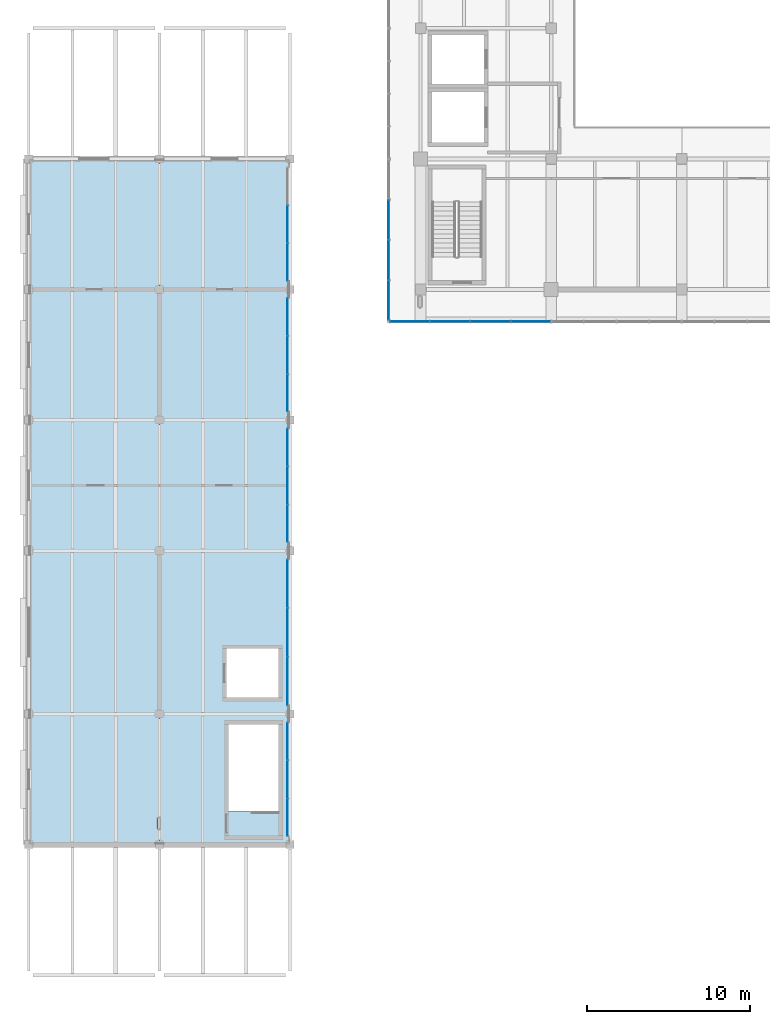
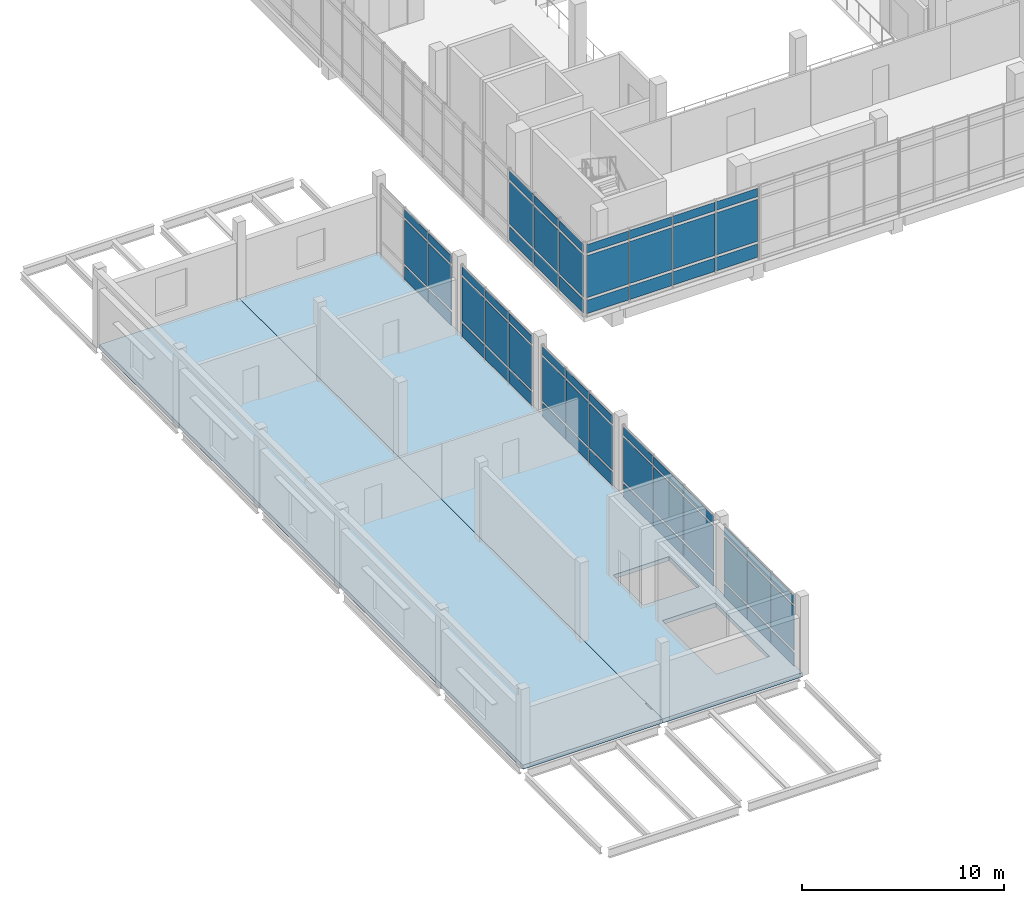
# One storey, part 15 of 28: 63 plates, 2 slabs, 7 elements without a shape of their own.
"""IFC4 building model written with IfcOpenShell, lengths in metres."""

from ifc_helpers import new_model, si_unit, direction, frame, origin, origin_2d, place, context, subcontext, project, spatial, polyline, rectangle, outline, extrude, material, layer, layer_set, type_object, element, aggregate, save


model = new_model("IFC4")

# Units and contexts
model_context = context("Model", 3, precision=1e-05, world=origin(), true_north=direction((0.0, 1.0)))
body_context = subcontext(model_context, "Body", "Model", "MODEL_VIEW")
ifc_project = project(units=[si_unit("LENGTHUNIT", "METRE"), si_unit("AREAUNIT", "SQUARE_METRE"), si_unit("VOLUMEUNIT", "CUBIC_METRE"), si_unit("PLANEANGLEUNIT", "RADIAN"), si_unit("MASSUNIT", "GRAM", prefix="KILO")], contexts=[model_context])

# Site, building, storey
site_placement = place(None, origin())
site = spatial("IfcSite", under=ifc_project, at=site_placement, CompositionType="ELEMENT")
building_placement = place(site_placement, origin())
building = spatial("IfcBuilding", under=site, at=building_placement, Name="Pecanmere Concourse Central Library", CompositionType="ELEMENT")
storey_placement = place(building_placement, frame((0.0, 0.0, 20.10009765625)))
storey = spatial("IfcBuildingStorey", under=building, at=storey_placement, Name="L05", CompositionType="ELEMENT", Elevation=20.10009765625)

# Curtain wall, plates
ifc_material_1 = material(Name="Anodized bronze aluminium alloy 6063-T6", Category="aluminium")
curtain_wall_type_1 = type_object("IfcCurtainWallType", Name="CW_PLUMB_BANDED", PredefinedType="USERDEFINED", material=ifc_material_1)
curtain_wall_1_placement = place(storey_placement, origin())
curtain_wall_1 = element("IfcCurtainWall", 1, at=curtain_wall_1_placement, inside=storey, type_object=curtain_wall_type_1, Name="Unitised Curtain Wall CW-02 L05-058", ObjectType="UNITISED CURTAIN WALL", PredefinedType="USERDEFINED")
ifc_material_2 = material(Name="White ceramic-fritted insulated spandrel glazing", Category="glass")
ifc_layer_1 = layer(ifc_material_2, 0.053955078125, Name="CWP_SPN_54")
ifc_layer_set_1 = layer_set([ifc_layer_1], Name="White ceramic-fritted insulated spandrel glazing")
plate_type_1 = type_object("IfcPlateType", Name="CWP_SPN_54", PredefinedType="CURTAIN_PANEL", material=ifc_layer_set_1)
plate_1_placement = place(storey_placement, frame((71.334228515625, 88.03857421875, 0.159912109375), z_axis=(0.0, 0.0, 1.0), x_axis=(1.0, 0.0, 0.0)))
plate_1 = element("IfcPlate", 2, at=plate_1_placement, type_object=plate_type_1, Name="CW-02 Spandrel Panel 1.1", PredefinedType="CURTAIN_PANEL", context=body_context, shape_type="SweptSolid", body=[
    extrude(rectangle(XDim=2.381591796875, YDim=0.035888671875, at=origin_2d()), origin(), (0.0, 0.0, 1.0), 0.81005859375),
])
plate_2_placement = place(storey_placement, frame((73.797119140625, 88.03857421875, 0.159912109375), z_axis=(0.0, 0.0, 1.0), x_axis=(1.0, 0.0, 0.0)))
plate_2 = element("IfcPlate", 3, at=plate_2_placement, type_object=plate_type_1, Name="CW-02 Spandrel Panel 2.1", PredefinedType="CURTAIN_PANEL", context=body_context, shape_type="SweptSolid", body=[
    extrude(rectangle(XDim=2.4140625, YDim=0.035888671875, at=origin_2d()), origin(), (0.0, 0.0, 1.0), 0.81005859375),
])
plate_3_placement = place(storey_placement, frame((76.2763671875, 88.03857421875, 0.159912109375), z_axis=(0.0, 0.0, 1.0), x_axis=(1.0, 0.0, 0.0)))
plate_3 = element("IfcPlate", 4, at=plate_3_placement, type_object=plate_type_1, Name="CW-02 Spandrel Panel 3.1", PredefinedType="CURTAIN_PANEL", context=body_context, shape_type="SweptSolid", body=[
    extrude(rectangle(XDim=2.4140625, YDim=0.035888671875, at=origin_2d()), origin(), (0.0, 0.0, 1.0), 0.81005859375),
])
plate_4_placement = place(storey_placement, frame((78.7392578125, 88.03857421875, 0.159912109375), z_axis=(0.0, 0.0, 1.0), x_axis=(1.0, 0.0, 0.0)))
plate_4 = element("IfcPlate", 5, at=plate_4_placement, type_object=plate_type_1, Name="CW-02 Spandrel Panel 4.1", PredefinedType="CURTAIN_PANEL", context=body_context, shape_type="SweptSolid", body=[
    extrude(rectangle(XDim=2.381591796875, YDim=0.035888671875, at=origin_2d()), origin(), (0.0, 0.0, 1.0), 0.81005859375),
])

curtain_wall_2_placement = place(storey_placement, origin())
curtain_wall_2 = element("IfcCurtainWall", 6, at=curtain_wall_2_placement, inside=storey, type_object=curtain_wall_type_1, Name="Unitised Curtain Wall CW-02 L05-069", ObjectType="UNITISED CURTAIN WALL", PredefinedType="USERDEFINED")
plate_5_placement = place(storey_placement, frame((70.03857421875, 94.2763671875, 0.159912109375), z_axis=(0.0, 0.0, 1.0), x_axis=(0.0, -1.0, 0.0)))
plate_5 = element("IfcPlate", 7, at=plate_5_placement, type_object=plate_type_1, Name="CW-02 Spandrel Panel 2.1", PredefinedType="CURTAIN_PANEL", context=body_context, shape_type="SweptSolid", body=[
    extrude(rectangle(XDim=2.4140625, YDim=0.035888671875, at=origin_2d()), origin(), (0.0, 0.0, 1.0), 0.81005859375),
])
plate_6_placement = place(storey_placement, frame((70.03857421875, 91.797119140625, 0.159912109375), z_axis=(0.0, 0.0, 1.0), x_axis=(0.0, -1.0, 0.0)))
plate_6 = element("IfcPlate", 8, at=plate_6_placement, type_object=plate_type_1, Name="CW-02 Spandrel Panel 3.1", PredefinedType="CURTAIN_PANEL", context=body_context, shape_type="SweptSolid", body=[
    extrude(rectangle(XDim=2.4140625, YDim=0.035888671875, at=origin_2d()), origin(), (0.0, 0.0, 1.0), 0.81005859375),
])
plate_7_placement = place(storey_placement, frame((70.03857421875, 89.334228515625, 0.159912109375), z_axis=(0.0, 0.0, 1.0), x_axis=(0.0, -1.0, 0.0)))
plate_7 = element("IfcPlate", 9, at=plate_7_placement, type_object=plate_type_1, Name="CW-02 Spandrel Panel 4.1", PredefinedType="CURTAIN_PANEL", context=body_context, shape_type="SweptSolid", body=[
    extrude(rectangle(XDim=2.381591796875, YDim=0.035888671875, at=origin_2d()), origin(), (0.0, 0.0, 1.0), 0.81005859375),
])

ifc_material_3 = material(Name="Clear anodized aluminium alloy 6063-T6", Category="aluminium")
curtain_wall_type_2 = type_object("IfcCurtainWallType", Name="CW_CLOISTER_GLAZ", PredefinedType="USERDEFINED", material=ifc_material_3)
curtain_wall_3_placement = place(storey_placement, origin())
curtain_wall_3 = element("IfcCurtainWall", 10, at=curtain_wall_3_placement, inside=storey, type_object=curtain_wall_type_2, Name="Unitised Curtain Wall CW-04 L05-154", ObjectType="UNITISED CURTAIN WALL", PredefinedType="USERDEFINED")
plate_8_placement = place(storey_placement, frame((63.85009765625, 57.668212890625, 0.139892578125), z_axis=(0.0, 0.0, 1.0), x_axis=(0.0, 1.0, 0.0)))
plate_8 = element("IfcPlate", 11, at=plate_8_placement, type_object=plate_type_1, Name="CW-04 Spandrel Panel 1.1", PredefinedType="CURTAIN_PANEL", context=body_context, shape_type="SweptSolid", body=[
    extrude(rectangle(XDim=2.256591796875, YDim=0.035888671875, at=origin_2d()), origin(), (0.0, 0.0, 1.0), 0.7900390625),
])
plate_9_placement = place(storey_placement, frame((63.85009765625, 60.0, 0.139892578125), z_axis=(0.0, 0.0, 1.0), x_axis=(0.0, 1.0, 0.0)))
plate_9 = element("IfcPlate", 12, at=plate_9_placement, type_object=plate_type_1, Name="CW-04 Spandrel Panel 2.1", PredefinedType="CURTAIN_PANEL", context=body_context, shape_type="SweptSolid", body=[
    extrude(rectangle(XDim=2.28662109375, YDim=0.035888671875, at=origin_2d()), origin(), (0.0, 0.0, 1.0), 0.7900390625),
])
plate_10_placement = place(storey_placement, frame((63.85009765625, 62.331787109375, 0.139892578125), z_axis=(0.0, 0.0, 1.0), x_axis=(0.0, 1.0, 0.0)))
plate_10 = element("IfcPlate", 13, at=plate_10_placement, type_object=plate_type_1, Name="CW-04 Spandrel Panel 3.1", PredefinedType="CURTAIN_PANEL", context=body_context, shape_type="SweptSolid", body=[
    extrude(rectangle(XDim=2.256591796875, YDim=0.035888671875, at=origin_2d()), origin(), (0.0, 0.0, 1.0), 0.7900390625),
])

curtain_wall_4_placement = place(storey_placement, origin())
curtain_wall_4 = element("IfcCurtainWall", 14, at=curtain_wall_4_placement, inside=storey, type_object=curtain_wall_type_2, Name="Unitised Curtain Wall CW-04 L05-156", ObjectType="UNITISED CURTAIN WALL", PredefinedType="USERDEFINED")
plate_11_placement = place(storey_placement, frame((63.85009765625, 66.001708984375, 0.139892578125), z_axis=(0.0, 0.0, 1.0), x_axis=(0.0, 1.0, 0.0)))
plate_11 = element("IfcPlate", 15, at=plate_11_placement, type_object=plate_type_1, Name="CW-04 Spandrel Panel 1.1", PredefinedType="CURTAIN_PANEL", context=body_context, shape_type="SweptSolid", body=[
    extrude(rectangle(XDim=2.92333984375, YDim=0.035888671875, at=origin_2d()), origin(), (0.0, 0.0, 1.0), 0.7900390625),
])
plate_12_placement = place(storey_placement, frame((63.85009765625, 69.0, 0.139892578125), z_axis=(0.0, 0.0, 1.0), x_axis=(0.0, 1.0, 0.0)))
plate_12 = element("IfcPlate", 16, at=plate_12_placement, type_object=plate_type_1, Name="CW-04 Spandrel Panel 2.1", PredefinedType="CURTAIN_PANEL", context=body_context, shape_type="SweptSolid", body=[
    extrude(rectangle(XDim=2.953369140625, YDim=0.035888671875, at=origin_2d()), origin(), (0.0, 0.0, 1.0), 0.7900390625),
])
plate_13_placement = place(storey_placement, frame((63.85009765625, 71.998291015625, 0.139892578125), z_axis=(0.0, 0.0, 1.0), x_axis=(0.0, 1.0, 0.0)))
plate_13 = element("IfcPlate", 17, at=plate_13_placement, type_object=plate_type_1, Name="CW-04 Spandrel Panel 3.1", PredefinedType="CURTAIN_PANEL", context=body_context, shape_type="SweptSolid", body=[
    extrude(rectangle(XDim=2.92333984375, YDim=0.035888671875, at=origin_2d()), origin(), (0.0, 0.0, 1.0), 0.7900390625),
])

curtain_wall_5_placement = place(storey_placement, origin())
curtain_wall_5 = element("IfcCurtainWall", 18, at=curtain_wall_5_placement, inside=storey, type_object=curtain_wall_type_2, Name="Unitised Curtain Wall CW-04 L05-158", ObjectType="UNITISED CURTAIN WALL", PredefinedType="USERDEFINED")
plate_14_placement = place(storey_placement, frame((63.85009765625, 75.668212890625, 0.139892578125), z_axis=(0.0, 0.0, 1.0), x_axis=(0.0, 1.0, 0.0)))
plate_14 = element("IfcPlate", 19, at=plate_14_placement, type_object=plate_type_1, Name="CW-04 Spandrel Panel 1.1", PredefinedType="CURTAIN_PANEL", context=body_context, shape_type="SweptSolid", body=[
    extrude(rectangle(XDim=2.256591796875, YDim=0.035888671875, at=origin_2d()), origin(), (0.0, 0.0, 1.0), 0.7900390625),
])
plate_15_placement = place(storey_placement, frame((63.85009765625, 78.0, 0.139892578125), z_axis=(0.0, 0.0, 1.0), x_axis=(0.0, 1.0, 0.0)))
plate_15 = element("IfcPlate", 20, at=plate_15_placement, type_object=plate_type_1, Name="CW-04 Spandrel Panel 2.1", PredefinedType="CURTAIN_PANEL", context=body_context, shape_type="SweptSolid", body=[
    extrude(rectangle(XDim=2.28662109375, YDim=0.035888671875, at=origin_2d()), origin(), (0.0, 0.0, 1.0), 0.7900390625),
])
plate_16_placement = place(storey_placement, frame((63.85009765625, 80.331787109375, 0.139892578125), z_axis=(0.0, 0.0, 1.0), x_axis=(0.0, 1.0, 0.0)))
plate_16 = element("IfcPlate", 21, at=plate_16_placement, type_object=plate_type_1, Name="CW-04 Spandrel Panel 3.1", PredefinedType="CURTAIN_PANEL", context=body_context, shape_type="SweptSolid", body=[
    extrude(rectangle(XDim=2.256591796875, YDim=0.035888671875, at=origin_2d()), origin(), (0.0, 0.0, 1.0), 0.7900390625),
])

curtain_wall_6_placement = place(storey_placement, origin())
curtain_wall_6 = element("IfcCurtainWall", 22, at=curtain_wall_6_placement, inside=storey, type_object=curtain_wall_type_2, Name="Unitised Curtain Wall CW-04 L05-160", ObjectType="UNITISED CURTAIN WALL", PredefinedType="USERDEFINED")
plate_17_placement = place(storey_placement, frame((63.85009765625, 83.668212890625, 0.139892578125), z_axis=(0.0, 0.0, 1.0), x_axis=(0.0, 1.0, 0.0)))
plate_17 = element("IfcPlate", 23, at=plate_17_placement, type_object=plate_type_1, Name="CW-04 Spandrel Panel 1.1", PredefinedType="CURTAIN_PANEL", context=body_context, shape_type="SweptSolid", body=[
    extrude(rectangle(XDim=2.256591796875, YDim=0.035888671875, at=origin_2d()), origin(), (0.0, 0.0, 1.0), 0.7900390625),
])
plate_18_placement = place(storey_placement, frame((63.85009765625, 86.0, 0.139892578125), z_axis=(0.0, 0.0, 1.0), x_axis=(0.0, 1.0, 0.0)))
plate_18 = element("IfcPlate", 24, at=plate_18_placement, type_object=plate_type_1, Name="CW-04 Spandrel Panel 2.1", PredefinedType="CURTAIN_PANEL", context=body_context, shape_type="SweptSolid", body=[
    extrude(rectangle(XDim=2.28662109375, YDim=0.035888671875, at=origin_2d()), origin(), (0.0, 0.0, 1.0), 0.7900390625),
])
plate_19_placement = place(storey_placement, frame((63.85009765625, 88.331787109375, 0.139892578125), z_axis=(0.0, 0.0, 1.0), x_axis=(0.0, 1.0, 0.0)))
plate_19 = element("IfcPlate", 25, at=plate_19_placement, type_object=plate_type_1, Name="CW-04 Spandrel Panel 3.1", PredefinedType="CURTAIN_PANEL", context=body_context, shape_type="SweptSolid", body=[
    extrude(rectangle(XDim=2.256591796875, YDim=0.035888671875, at=origin_2d()), origin(), (0.0, 0.0, 1.0), 0.7900390625),
])

curtain_wall_7_placement = place(storey_placement, origin())
curtain_wall_7 = element("IfcCurtainWall", 26, at=curtain_wall_7_placement, inside=storey, type_object=curtain_wall_type_2, Name="Unitised Curtain Wall CW-04 L05-162", ObjectType="UNITISED CURTAIN WALL", PredefinedType="USERDEFINED")
plate_20_placement = place(storey_placement, frame((63.85009765625, 91.668212890625, 0.139892578125), z_axis=(0.0, 0.0, 1.0), x_axis=(0.0, 1.0, 0.0)))
plate_20 = element("IfcPlate", 27, at=plate_20_placement, type_object=plate_type_1, Name="CW-04 Spandrel Panel 1.1", PredefinedType="CURTAIN_PANEL", context=body_context, shape_type="SweptSolid", body=[
    extrude(rectangle(XDim=2.256591796875, YDim=0.035888671875, at=origin_2d()), origin(), (0.0, 0.0, 1.0), 0.7900390625),
])
plate_21_placement = place(storey_placement, frame((63.85009765625, 94.0, 0.139892578125), z_axis=(0.0, 0.0, 1.0), x_axis=(0.0, 1.0, 0.0)))
plate_21 = element("IfcPlate", 28, at=plate_21_placement, type_object=plate_type_1, Name="CW-04 Spandrel Panel 2.1", PredefinedType="CURTAIN_PANEL", context=body_context, shape_type="SweptSolid", body=[
    extrude(rectangle(XDim=2.28662109375, YDim=0.035888671875, at=origin_2d()), origin(), (0.0, 0.0, 1.0), 0.7900390625),
])

# Plate
ifc_material_4 = material(Name="Low-iron clear insulated glazing", Category="glass")
ifc_layer_2 = layer(ifc_material_4, 0.035888671875, Name="CWP_VIS_36")
ifc_layer_set_2 = layer_set([ifc_layer_2], Name="Low-iron clear insulated glazing")
plate_type_2 = type_object("IfcPlateType", Name="CWP_VIS_36", PredefinedType="CURTAIN_PANEL", material=ifc_layer_set_2)
plate_22_placement = place(storey_placement, frame((71.334228515625, 88.03857421875, 1.1298828125), z_axis=(0.0, 0.0, 1.0), x_axis=(1.0, 0.0, 0.0)))
plate_22 = element("IfcPlate", 29, at=plate_22_placement, type_object=plate_type_2, Name="CW-02 Vision Panel 1.2", PredefinedType="CURTAIN_PANEL", context=body_context, shape_type="SweptSolid", body=[
    extrude(rectangle(XDim=2.381591796875, YDim=0.035888671875, at=origin_2d()), origin(), (0.0, 0.0, 1.0), 2.5400390625),
])

plate_23_placement = place(storey_placement, frame((71.334228515625, 88.03857421875, 3.830078125), z_axis=(0.0, 0.0, 1.0), x_axis=(1.0, 0.0, 0.0)))
plate_23 = element("IfcPlate", 30, at=plate_23_placement, type_object=plate_type_2, Name="CW-02 Vision Panel 1.3", PredefinedType="CURTAIN_PANEL", context=body_context, shape_type="SweptSolid", body=[
    extrude(rectangle(XDim=2.381591796875, YDim=0.035888671875, at=origin_2d()), origin(), (0.0, 0.0, 1.0), 0.510009765625),
])

plate_24_placement = place(storey_placement, frame((73.797119140625, 88.03857421875, 1.1298828125), z_axis=(0.0, 0.0, 1.0), x_axis=(1.0, 0.0, 0.0)))
plate_24 = element("IfcPlate", 31, at=plate_24_placement, type_object=plate_type_2, Name="CW-02 Vision Panel 2.2", PredefinedType="CURTAIN_PANEL", context=body_context, shape_type="SweptSolid", body=[
    extrude(rectangle(XDim=2.4140625, YDim=0.035888671875, at=origin_2d()), origin(), (0.0, 0.0, 1.0), 2.5400390625),
])

plate_25_placement = place(storey_placement, frame((73.797119140625, 88.03857421875, 3.830078125), z_axis=(0.0, 0.0, 1.0), x_axis=(1.0, 0.0, 0.0)))
plate_25 = element("IfcPlate", 32, at=plate_25_placement, type_object=plate_type_2, Name="CW-02 Vision Panel 2.3", PredefinedType="CURTAIN_PANEL", context=body_context, shape_type="SweptSolid", body=[
    extrude(rectangle(XDim=2.4140625, YDim=0.035888671875, at=origin_2d()), origin(), (0.0, 0.0, 1.0), 0.510009765625),
])

plate_26_placement = place(storey_placement, frame((76.2763671875, 88.03857421875, 1.1298828125), z_axis=(0.0, 0.0, 1.0), x_axis=(1.0, 0.0, 0.0)))
plate_26 = element("IfcPlate", 33, at=plate_26_placement, type_object=plate_type_2, Name="CW-02 Vision Panel 3.2", PredefinedType="CURTAIN_PANEL", context=body_context, shape_type="SweptSolid", body=[
    extrude(rectangle(XDim=2.4140625, YDim=0.035888671875, at=origin_2d()), origin(), (0.0, 0.0, 1.0), 2.5400390625),
])

plate_27_placement = place(storey_placement, frame((76.2763671875, 88.03857421875, 3.830078125), z_axis=(0.0, 0.0, 1.0), x_axis=(1.0, 0.0, 0.0)))
plate_27 = element("IfcPlate", 34, at=plate_27_placement, type_object=plate_type_2, Name="CW-02 Vision Panel 3.3", PredefinedType="CURTAIN_PANEL", context=body_context, shape_type="SweptSolid", body=[
    extrude(rectangle(XDim=2.4140625, YDim=0.035888671875, at=origin_2d()), origin(), (0.0, 0.0, 1.0), 0.510009765625),
])

plate_28_placement = place(storey_placement, frame((78.7392578125, 88.03857421875, 1.1298828125), z_axis=(0.0, 0.0, 1.0), x_axis=(1.0, 0.0, 0.0)))
plate_28 = element("IfcPlate", 35, at=plate_28_placement, type_object=plate_type_2, Name="CW-02 Vision Panel 4.2", PredefinedType="CURTAIN_PANEL", context=body_context, shape_type="SweptSolid", body=[
    extrude(rectangle(XDim=2.381591796875, YDim=0.035888671875, at=origin_2d()), origin(), (0.0, 0.0, 1.0), 2.5400390625),
])

plate_29_placement = place(storey_placement, frame((78.7392578125, 88.03857421875, 3.830078125), z_axis=(0.0, 0.0, 1.0), x_axis=(1.0, 0.0, 0.0)))
plate_29 = element("IfcPlate", 36, at=plate_29_placement, type_object=plate_type_2, Name="CW-02 Vision Panel 4.3", PredefinedType="CURTAIN_PANEL", context=body_context, shape_type="SweptSolid", body=[
    extrude(rectangle(XDim=2.381591796875, YDim=0.035888671875, at=origin_2d()), origin(), (0.0, 0.0, 1.0), 0.510009765625),
])

aggregate(curtain_wall_1, [plate_1, plate_22, plate_23, plate_2, plate_24, plate_25, plate_3, plate_26, plate_27, plate_4, plate_28, plate_29])

plate_30_placement = place(storey_placement, frame((70.03857421875, 94.2763671875, 1.1298828125), z_axis=(0.0, 0.0, 1.0), x_axis=(0.0, -1.0, 0.0)))
plate_30 = element("IfcPlate", 37, at=plate_30_placement, type_object=plate_type_2, Name="CW-02 Vision Panel 2.2", PredefinedType="CURTAIN_PANEL", context=body_context, shape_type="SweptSolid", body=[
    extrude(rectangle(XDim=2.4140625, YDim=0.035888671875, at=origin_2d()), origin(), (0.0, 0.0, 1.0), 2.5400390625),
])

plate_31_placement = place(storey_placement, frame((70.03857421875, 94.2763671875, 3.830078125), z_axis=(0.0, 0.0, 1.0), x_axis=(0.0, -1.0, 0.0)))
plate_31 = element("IfcPlate", 38, at=plate_31_placement, type_object=plate_type_2, Name="CW-02 Vision Panel 2.3", PredefinedType="CURTAIN_PANEL", context=body_context, shape_type="SweptSolid", body=[
    extrude(rectangle(XDim=2.4140625, YDim=0.035888671875, at=origin_2d()), origin(), (0.0, 0.0, 1.0), 0.510009765625),
])

plate_32_placement = place(storey_placement, frame((70.03857421875, 91.797119140625, 1.1298828125), z_axis=(0.0, 0.0, 1.0), x_axis=(0.0, -1.0, 0.0)))
plate_32 = element("IfcPlate", 39, at=plate_32_placement, type_object=plate_type_2, Name="CW-02 Vision Panel 3.2", PredefinedType="CURTAIN_PANEL", context=body_context, shape_type="SweptSolid", body=[
    extrude(rectangle(XDim=2.4140625, YDim=0.035888671875, at=origin_2d()), origin(), (0.0, 0.0, 1.0), 2.5400390625),
])

plate_33_placement = place(storey_placement, frame((70.03857421875, 91.797119140625, 3.830078125), z_axis=(0.0, 0.0, 1.0), x_axis=(0.0, -1.0, 0.0)))
plate_33 = element("IfcPlate", 40, at=plate_33_placement, type_object=plate_type_2, Name="CW-02 Vision Panel 3.3", PredefinedType="CURTAIN_PANEL", context=body_context, shape_type="SweptSolid", body=[
    extrude(rectangle(XDim=2.4140625, YDim=0.035888671875, at=origin_2d()), origin(), (0.0, 0.0, 1.0), 0.510009765625),
])

plate_34_placement = place(storey_placement, frame((70.03857421875, 89.334228515625, 1.1298828125), z_axis=(0.0, 0.0, 1.0), x_axis=(0.0, -1.0, 0.0)))
plate_34 = element("IfcPlate", 41, at=plate_34_placement, type_object=plate_type_2, Name="CW-02 Vision Panel 4.2", PredefinedType="CURTAIN_PANEL", context=body_context, shape_type="SweptSolid", body=[
    extrude(rectangle(XDim=2.381591796875, YDim=0.035888671875, at=origin_2d()), origin(), (0.0, 0.0, 1.0), 2.5400390625),
])

plate_35_placement = place(storey_placement, frame((70.03857421875, 89.334228515625, 3.830078125), z_axis=(0.0, 0.0, 1.0), x_axis=(0.0, -1.0, 0.0)))
plate_35 = element("IfcPlate", 42, at=plate_35_placement, type_object=plate_type_2, Name="CW-02 Vision Panel 4.3", PredefinedType="CURTAIN_PANEL", context=body_context, shape_type="SweptSolid", body=[
    extrude(rectangle(XDim=2.381591796875, YDim=0.035888671875, at=origin_2d()), origin(), (0.0, 0.0, 1.0), 0.510009765625),
])

aggregate(curtain_wall_2, [plate_5, plate_30, plate_31, plate_6, plate_32, plate_33, plate_7, plate_34, plate_35])

plate_36_placement = place(storey_placement, frame((63.85009765625, 57.668212890625, 1.06982421875), z_axis=(0.0, 0.0, 1.0), x_axis=(0.0, 1.0, 0.0)))
plate_36 = element("IfcPlate", 43, at=plate_36_placement, type_object=plate_type_2, Name="CW-04 Vision Panel 1.2", PredefinedType="CURTAIN_PANEL", context=body_context, shape_type="SweptSolid", body=[
    extrude(rectangle(XDim=2.256591796875, YDim=0.035888671875, at=origin_2d()), origin(), (0.0, 0.0, 1.0), 2.659912109375),
])

plate_37_placement = place(storey_placement, frame((63.85009765625, 57.668212890625, 3.8701171875), z_axis=(0.0, 0.0, 1.0), x_axis=(0.0, 1.0, 0.0)))
plate_37 = element("IfcPlate", 44, at=plate_37_placement, type_object=plate_type_2, Name="CW-04 Vision Panel 1.3", PredefinedType="CURTAIN_PANEL", context=body_context, shape_type="SweptSolid", body=[
    extrude(rectangle(XDim=2.256591796875, YDim=0.035888671875, at=origin_2d()), origin(), (0.0, 0.0, 1.0), 0.489990234375),
])

plate_38_placement = place(storey_placement, frame((63.85009765625, 60.0, 1.06982421875), z_axis=(0.0, 0.0, 1.0), x_axis=(0.0, 1.0, 0.0)))
plate_38 = element("IfcPlate", 45, at=plate_38_placement, type_object=plate_type_2, Name="CW-04 Vision Panel 2.2", PredefinedType="CURTAIN_PANEL", context=body_context, shape_type="SweptSolid", body=[
    extrude(rectangle(XDim=2.28662109375, YDim=0.035888671875, at=origin_2d()), origin(), (0.0, 0.0, 1.0), 2.659912109375),
])

plate_39_placement = place(storey_placement, frame((63.85009765625, 60.0, 3.8701171875), z_axis=(0.0, 0.0, 1.0), x_axis=(0.0, 1.0, 0.0)))
plate_39 = element("IfcPlate", 46, at=plate_39_placement, type_object=plate_type_2, Name="CW-04 Vision Panel 2.3", PredefinedType="CURTAIN_PANEL", context=body_context, shape_type="SweptSolid", body=[
    extrude(rectangle(XDim=2.28662109375, YDim=0.035888671875, at=origin_2d()), origin(), (0.0, 0.0, 1.0), 0.489990234375),
])

plate_40_placement = place(storey_placement, frame((63.85009765625, 62.331787109375, 1.06982421875), z_axis=(0.0, 0.0, 1.0), x_axis=(0.0, 1.0, 0.0)))
plate_40 = element("IfcPlate", 47, at=plate_40_placement, type_object=plate_type_2, Name="CW-04 Vision Panel 3.2", PredefinedType="CURTAIN_PANEL", context=body_context, shape_type="SweptSolid", body=[
    extrude(rectangle(XDim=2.256591796875, YDim=0.035888671875, at=origin_2d()), origin(), (0.0, 0.0, 1.0), 2.659912109375),
])

plate_41_placement = place(storey_placement, frame((63.85009765625, 62.331787109375, 3.8701171875), z_axis=(0.0, 0.0, 1.0), x_axis=(0.0, 1.0, 0.0)))
plate_41 = element("IfcPlate", 48, at=plate_41_placement, type_object=plate_type_2, Name="CW-04 Vision Panel 3.3", PredefinedType="CURTAIN_PANEL", context=body_context, shape_type="SweptSolid", body=[
    extrude(rectangle(XDim=2.256591796875, YDim=0.035888671875, at=origin_2d()), origin(), (0.0, 0.0, 1.0), 0.489990234375),
])

aggregate(curtain_wall_3, [plate_8, plate_36, plate_37, plate_9, plate_38, plate_39, plate_10, plate_40, plate_41])

plate_42_placement = place(storey_placement, frame((63.85009765625, 66.001708984375, 1.06982421875), z_axis=(0.0, 0.0, 1.0), x_axis=(0.0, 1.0, 0.0)))
plate_42 = element("IfcPlate", 49, at=plate_42_placement, type_object=plate_type_2, Name="CW-04 Vision Panel 1.2", PredefinedType="CURTAIN_PANEL", context=body_context, shape_type="SweptSolid", body=[
    extrude(rectangle(XDim=2.92333984375, YDim=0.035888671875, at=origin_2d()), origin(), (0.0, 0.0, 1.0), 2.659912109375),
])

plate_43_placement = place(storey_placement, frame((63.85009765625, 66.001708984375, 3.8701171875), z_axis=(0.0, 0.0, 1.0), x_axis=(0.0, 1.0, 0.0)))
plate_43 = element("IfcPlate", 50, at=plate_43_placement, type_object=plate_type_2, Name="CW-04 Vision Panel 1.3", PredefinedType="CURTAIN_PANEL", context=body_context, shape_type="SweptSolid", body=[
    extrude(rectangle(XDim=2.92333984375, YDim=0.035888671875, at=origin_2d()), origin(), (0.0, 0.0, 1.0), 0.489990234375),
])

plate_44_placement = place(storey_placement, frame((63.85009765625, 69.0, 1.06982421875), z_axis=(0.0, 0.0, 1.0), x_axis=(0.0, 1.0, 0.0)))
plate_44 = element("IfcPlate", 51, at=plate_44_placement, type_object=plate_type_2, Name="CW-04 Vision Panel 2.2", PredefinedType="CURTAIN_PANEL", context=body_context, shape_type="SweptSolid", body=[
    extrude(rectangle(XDim=2.953369140625, YDim=0.035888671875, at=origin_2d()), origin(), (0.0, 0.0, 1.0), 2.659912109375),
])

plate_45_placement = place(storey_placement, frame((63.85009765625, 69.0, 3.8701171875), z_axis=(0.0, 0.0, 1.0), x_axis=(0.0, 1.0, 0.0)))
plate_45 = element("IfcPlate", 52, at=plate_45_placement, type_object=plate_type_2, Name="CW-04 Vision Panel 2.3", PredefinedType="CURTAIN_PANEL", context=body_context, shape_type="SweptSolid", body=[
    extrude(rectangle(XDim=2.953369140625, YDim=0.035888671875, at=origin_2d()), origin(), (0.0, 0.0, 1.0), 0.489990234375),
])

plate_46_placement = place(storey_placement, frame((63.85009765625, 71.998291015625, 1.06982421875), z_axis=(0.0, 0.0, 1.0), x_axis=(0.0, 1.0, 0.0)))
plate_46 = element("IfcPlate", 53, at=plate_46_placement, type_object=plate_type_2, Name="CW-04 Vision Panel 3.2", PredefinedType="CURTAIN_PANEL", context=body_context, shape_type="SweptSolid", body=[
    extrude(rectangle(XDim=2.92333984375, YDim=0.035888671875, at=origin_2d()), origin(), (0.0, 0.0, 1.0), 2.659912109375),
])

plate_47_placement = place(storey_placement, frame((63.85009765625, 71.998291015625, 3.8701171875), z_axis=(0.0, 0.0, 1.0), x_axis=(0.0, 1.0, 0.0)))
plate_47 = element("IfcPlate", 54, at=plate_47_placement, type_object=plate_type_2, Name="CW-04 Vision Panel 3.3", PredefinedType="CURTAIN_PANEL", context=body_context, shape_type="SweptSolid", body=[
    extrude(rectangle(XDim=2.92333984375, YDim=0.035888671875, at=origin_2d()), origin(), (0.0, 0.0, 1.0), 0.489990234375),
])

aggregate(curtain_wall_4, [plate_11, plate_42, plate_43, plate_12, plate_44, plate_45, plate_13, plate_46, plate_47])

plate_48_placement = place(storey_placement, frame((63.85009765625, 75.668212890625, 1.06982421875), z_axis=(0.0, 0.0, 1.0), x_axis=(0.0, 1.0, 0.0)))
plate_48 = element("IfcPlate", 55, at=plate_48_placement, type_object=plate_type_2, Name="CW-04 Vision Panel 1.2", PredefinedType="CURTAIN_PANEL", context=body_context, shape_type="SweptSolid", body=[
    extrude(rectangle(XDim=2.256591796875, YDim=0.035888671875, at=origin_2d()), origin(), (0.0, 0.0, 1.0), 2.659912109375),
])

plate_49_placement = place(storey_placement, frame((63.85009765625, 75.668212890625, 3.8701171875), z_axis=(0.0, 0.0, 1.0), x_axis=(0.0, 1.0, 0.0)))
plate_49 = element("IfcPlate", 56, at=plate_49_placement, type_object=plate_type_2, Name="CW-04 Vision Panel 1.3", PredefinedType="CURTAIN_PANEL", context=body_context, shape_type="SweptSolid", body=[
    extrude(rectangle(XDim=2.256591796875, YDim=0.035888671875, at=origin_2d()), origin(), (0.0, 0.0, 1.0), 0.489990234375),
])

plate_50_placement = place(storey_placement, frame((63.85009765625, 78.0, 1.06982421875), z_axis=(0.0, 0.0, 1.0), x_axis=(0.0, 1.0, 0.0)))
plate_50 = element("IfcPlate", 57, at=plate_50_placement, type_object=plate_type_2, Name="CW-04 Vision Panel 2.2", PredefinedType="CURTAIN_PANEL", context=body_context, shape_type="SweptSolid", body=[
    extrude(rectangle(XDim=2.28662109375, YDim=0.035888671875, at=origin_2d()), origin(), (0.0, 0.0, 1.0), 2.659912109375),
])

plate_51_placement = place(storey_placement, frame((63.85009765625, 78.0, 3.8701171875), z_axis=(0.0, 0.0, 1.0), x_axis=(0.0, 1.0, 0.0)))
plate_51 = element("IfcPlate", 58, at=plate_51_placement, type_object=plate_type_2, Name="CW-04 Vision Panel 2.3", PredefinedType="CURTAIN_PANEL", context=body_context, shape_type="SweptSolid", body=[
    extrude(rectangle(XDim=2.28662109375, YDim=0.035888671875, at=origin_2d()), origin(), (0.0, 0.0, 1.0), 0.489990234375),
])

plate_52_placement = place(storey_placement, frame((63.85009765625, 80.331787109375, 1.06982421875), z_axis=(0.0, 0.0, 1.0), x_axis=(0.0, 1.0, 0.0)))
plate_52 = element("IfcPlate", 59, at=plate_52_placement, type_object=plate_type_2, Name="CW-04 Vision Panel 3.2", PredefinedType="CURTAIN_PANEL", context=body_context, shape_type="SweptSolid", body=[
    extrude(rectangle(XDim=2.256591796875, YDim=0.035888671875, at=origin_2d()), origin(), (0.0, 0.0, 1.0), 2.659912109375),
])

plate_53_placement = place(storey_placement, frame((63.85009765625, 80.331787109375, 3.8701171875), z_axis=(0.0, 0.0, 1.0), x_axis=(0.0, 1.0, 0.0)))
plate_53 = element("IfcPlate", 60, at=plate_53_placement, type_object=plate_type_2, Name="CW-04 Vision Panel 3.3", PredefinedType="CURTAIN_PANEL", context=body_context, shape_type="SweptSolid", body=[
    extrude(rectangle(XDim=2.256591796875, YDim=0.035888671875, at=origin_2d()), origin(), (0.0, 0.0, 1.0), 0.489990234375),
])

aggregate(curtain_wall_5, [plate_14, plate_48, plate_49, plate_15, plate_50, plate_51, plate_16, plate_52, plate_53])

plate_54_placement = place(storey_placement, frame((63.85009765625, 83.668212890625, 1.06982421875), z_axis=(0.0, 0.0, 1.0), x_axis=(0.0, 1.0, 0.0)))
plate_54 = element("IfcPlate", 61, at=plate_54_placement, type_object=plate_type_2, Name="CW-04 Vision Panel 1.2", PredefinedType="CURTAIN_PANEL", context=body_context, shape_type="SweptSolid", body=[
    extrude(rectangle(XDim=2.256591796875, YDim=0.035888671875, at=origin_2d()), origin(), (0.0, 0.0, 1.0), 2.659912109375),
])

plate_55_placement = place(storey_placement, frame((63.85009765625, 83.668212890625, 3.8701171875), z_axis=(0.0, 0.0, 1.0), x_axis=(0.0, 1.0, 0.0)))
plate_55 = element("IfcPlate", 62, at=plate_55_placement, type_object=plate_type_2, Name="CW-04 Vision Panel 1.3", PredefinedType="CURTAIN_PANEL", context=body_context, shape_type="SweptSolid", body=[
    extrude(rectangle(XDim=2.256591796875, YDim=0.035888671875, at=origin_2d()), origin(), (0.0, 0.0, 1.0), 0.489990234375),
])

plate_56_placement = place(storey_placement, frame((63.85009765625, 86.0, 1.06982421875), z_axis=(0.0, 0.0, 1.0), x_axis=(0.0, 1.0, 0.0)))
plate_56 = element("IfcPlate", 63, at=plate_56_placement, type_object=plate_type_2, Name="CW-04 Vision Panel 2.2", PredefinedType="CURTAIN_PANEL", context=body_context, shape_type="SweptSolid", body=[
    extrude(rectangle(XDim=2.28662109375, YDim=0.035888671875, at=origin_2d()), origin(), (0.0, 0.0, 1.0), 2.659912109375),
])

plate_57_placement = place(storey_placement, frame((63.85009765625, 86.0, 3.8701171875), z_axis=(0.0, 0.0, 1.0), x_axis=(0.0, 1.0, 0.0)))
plate_57 = element("IfcPlate", 64, at=plate_57_placement, type_object=plate_type_2, Name="CW-04 Vision Panel 2.3", PredefinedType="CURTAIN_PANEL", context=body_context, shape_type="SweptSolid", body=[
    extrude(rectangle(XDim=2.28662109375, YDim=0.035888671875, at=origin_2d()), origin(), (0.0, 0.0, 1.0), 0.489990234375),
])

plate_58_placement = place(storey_placement, frame((63.85009765625, 88.331787109375, 1.06982421875), z_axis=(0.0, 0.0, 1.0), x_axis=(0.0, 1.0, 0.0)))
plate_58 = element("IfcPlate", 65, at=plate_58_placement, type_object=plate_type_2, Name="CW-04 Vision Panel 3.2", PredefinedType="CURTAIN_PANEL", context=body_context, shape_type="SweptSolid", body=[
    extrude(rectangle(XDim=2.256591796875, YDim=0.035888671875, at=origin_2d()), origin(), (0.0, 0.0, 1.0), 2.659912109375),
])

plate_59_placement = place(storey_placement, frame((63.85009765625, 88.331787109375, 3.8701171875), z_axis=(0.0, 0.0, 1.0), x_axis=(0.0, 1.0, 0.0)))
plate_59 = element("IfcPlate", 66, at=plate_59_placement, type_object=plate_type_2, Name="CW-04 Vision Panel 3.3", PredefinedType="CURTAIN_PANEL", context=body_context, shape_type="SweptSolid", body=[
    extrude(rectangle(XDim=2.256591796875, YDim=0.035888671875, at=origin_2d()), origin(), (0.0, 0.0, 1.0), 0.489990234375),
])

aggregate(curtain_wall_6, [plate_17, plate_54, plate_55, plate_18, plate_56, plate_57, plate_19, plate_58, plate_59])

plate_60_placement = place(storey_placement, frame((63.85009765625, 91.668212890625, 1.06982421875), z_axis=(0.0, 0.0, 1.0), x_axis=(0.0, 1.0, 0.0)))
plate_60 = element("IfcPlate", 67, at=plate_60_placement, type_object=plate_type_2, Name="CW-04 Vision Panel 1.2", PredefinedType="CURTAIN_PANEL", context=body_context, shape_type="SweptSolid", body=[
    extrude(rectangle(XDim=2.256591796875, YDim=0.035888671875, at=origin_2d()), origin(), (0.0, 0.0, 1.0), 2.659912109375),
])

plate_61_placement = place(storey_placement, frame((63.85009765625, 91.668212890625, 3.8701171875), z_axis=(0.0, 0.0, 1.0), x_axis=(0.0, 1.0, 0.0)))
plate_61 = element("IfcPlate", 68, at=plate_61_placement, type_object=plate_type_2, Name="CW-04 Vision Panel 1.3", PredefinedType="CURTAIN_PANEL", context=body_context, shape_type="SweptSolid", body=[
    extrude(rectangle(XDim=2.256591796875, YDim=0.035888671875, at=origin_2d()), origin(), (0.0, 0.0, 1.0), 0.489990234375),
])

plate_62_placement = place(storey_placement, frame((63.85009765625, 94.0, 1.06982421875), z_axis=(0.0, 0.0, 1.0), x_axis=(0.0, 1.0, 0.0)))
plate_62 = element("IfcPlate", 69, at=plate_62_placement, type_object=plate_type_2, Name="CW-04 Vision Panel 2.2", PredefinedType="CURTAIN_PANEL", context=body_context, shape_type="SweptSolid", body=[
    extrude(rectangle(XDim=2.28662109375, YDim=0.035888671875, at=origin_2d()), origin(), (0.0, 0.0, 1.0), 2.659912109375),
])

plate_63_placement = place(storey_placement, frame((63.85009765625, 94.0, 3.8701171875), z_axis=(0.0, 0.0, 1.0), x_axis=(0.0, 1.0, 0.0)))
plate_63 = element("IfcPlate", 70, at=plate_63_placement, type_object=plate_type_2, Name="CW-04 Vision Panel 2.3", PredefinedType="CURTAIN_PANEL", context=body_context, shape_type="SweptSolid", body=[
    extrude(rectangle(XDim=2.28662109375, YDim=0.035888671875, at=origin_2d()), origin(), (0.0, 0.0, 1.0), 0.489990234375),
])

aggregate(curtain_wall_7, [plate_20, plate_60, plate_61, plate_21, plate_62, plate_63])

# Slabs
ifc_material_5 = material(Name="Concrete C35/45", Category="concrete")
ifc_layer_3 = layer(ifc_material_5, 0.25, Name="SLAB_READ_250")
ifc_layer_set_3 = layer_set([ifc_layer_3], Name="Concrete C35/45")
slab_type = type_object("IfcSlabType", Name="SLAB_READ_250", PredefinedType="FLOOR", material=ifc_layer_set_3)
slab_1_placement = place(storey_placement, frame((0.0, 0.0, -0.25)))
element("IfcSlab", 71, at=slab_1_placement, inside=storey, type_object=slab_type, Name="Floor Slab V3 L05-138", PredefinedType="FLOOR", context=body_context, shape_type="SweptSolid", body=[
    extrude(outline(polyline([(48.0, 56.0), (48.0, 98.0), (56.0, 98.0), (56.0, 57.60009765625), (55.919921875, 57.60009765625), (55.919921875, 57.0), (56.0, 57.0), (56.0, 56.0), (48.0, 56.0)])), origin(), (0.0, 0.0, 1.0), 0.25),
])
slab_2_placement = place(storey_placement, frame((0.0, 0.0, -0.25)))
element("IfcSlab", 72, at=slab_2_placement, inside=storey, type_object=slab_type, Name="Floor Slab V3 L05-139", PredefinedType="FLOOR", context=body_context, shape_type="SweptSolid", body=[
    extrude(outline(polyline([(56.0, 56.0), (56.0, 98.0), (64.0, 98.0), (64.0, 56.0), (56.0, 56.0)]), holes=[polyline([(60.239990234375, 63.3701171875), (60.239990234375, 58.030029296875), (63.300048828125, 58.030029296875), (63.300048828125, 63.3701171875), (60.239990234375, 63.3701171875)]), polyline([(63.300048828125, 68.0), (60.10009765625, 68.0), (60.10009765625, 65.0), (63.300048828125, 65.0), (63.300048828125, 68.0)])]), origin(), (0.0, 0.0, 1.0), 0.25),
])

save(model, "model.ifc")
